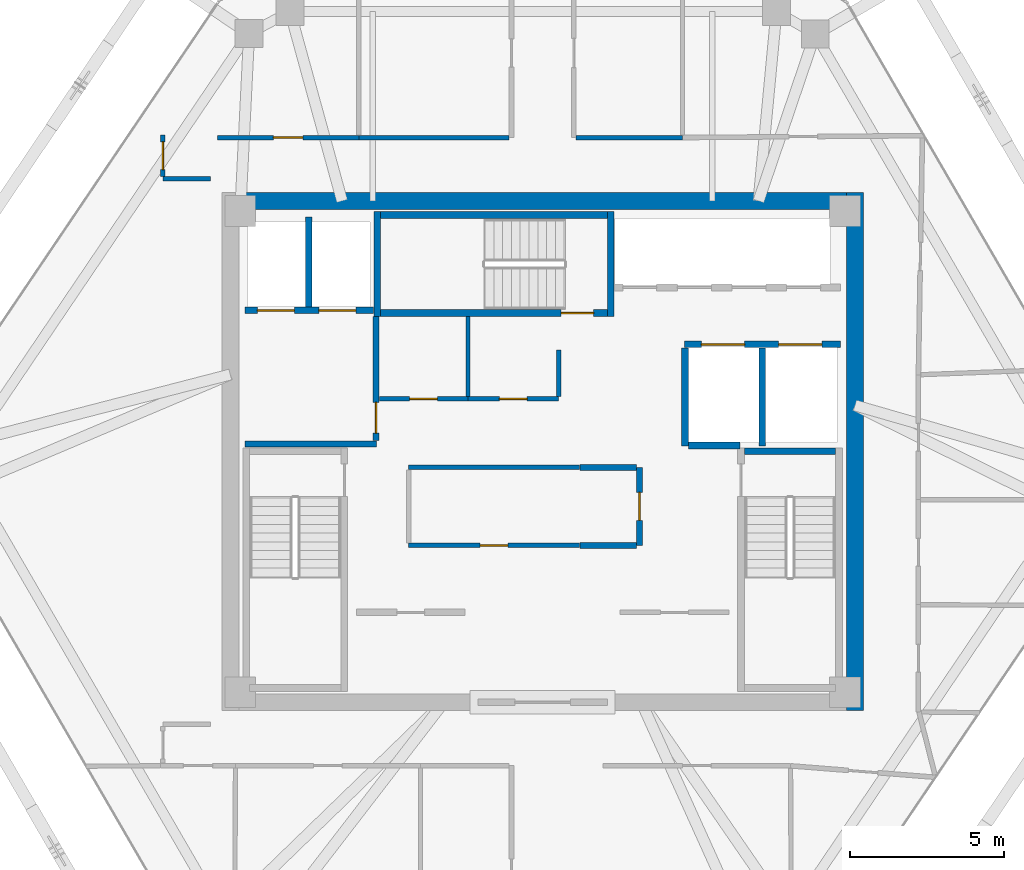
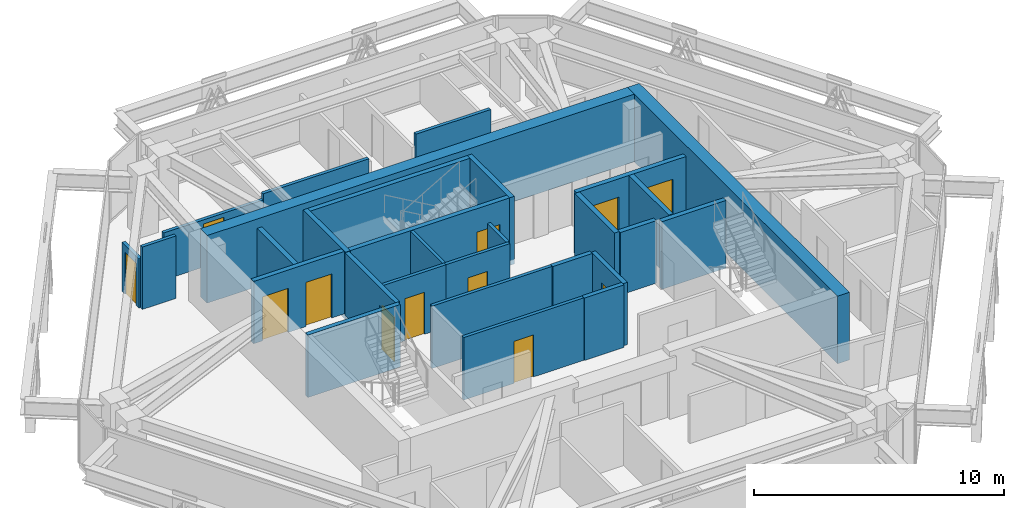
# One storey, part 10 of 13: 29 walls, 12 doors, 12 openings.
"""IFC4 building model written with IfcOpenShell, lengths in metres."""

from ifc_helpers import new_model, si_unit, direction, frame, frame_2d, origin, place, context, subcontext, project, spatial, rectangle, extrude, source, transform, mapped, material, layer, layer_set, type_object, type_shapes, element, fill, save


model = new_model("IFC4")

# Units and contexts
model_context = context("Model", 3, precision=1e-05, world=origin(), true_north=direction((0.0, 1.0)))
body_context = subcontext(model_context, "Body", "Model", "MODEL_VIEW")
ifc_project = project(units=[si_unit("LENGTHUNIT", "METRE"), si_unit("AREAUNIT", "SQUARE_METRE"), si_unit("VOLUMEUNIT", "CUBIC_METRE"), si_unit("PLANEANGLEUNIT", "RADIAN"), si_unit("MASSUNIT", "GRAM", prefix="KILO")], contexts=[model_context])

# Site, building, storey
site_placement = place(None, origin())
site = spatial("IfcSite", under=ifc_project, at=site_placement, CompositionType="ELEMENT")
building_placement = place(site_placement, origin())
building = spatial("IfcBuilding", under=site, at=building_placement, Name="Durnholm Broadcast Tower", CompositionType="ELEMENT")
storey_placement = place(building_placement, frame((0.0, 0.0, 228.199951171875)))
storey = spatial("IfcBuildingStorey", under=building, at=storey_placement, Name="L63", CompositionType="ELEMENT", Elevation=228.199951171875)

# Walls
ifc_material_1 = material(Name="Concrete C70/85", Category="concrete")
ifc_layer_1 = layer(ifc_material_1, 0.550048828125)
ifc_layer_set_1 = layer_set([ifc_layer_1], Name="Concrete C70/85")
wall_type_1 = type_object("IfcWallType", Name="WALL-CW-550", PredefinedType="SHEAR", material=ifc_layer_set_1)
wall_1_placement = place(storey_placement, frame((10.125, -8.39990234375, 0.0), z_axis=(0.0, 0.0, 1.0), x_axis=(0.0, 1.0, 0.0)))
element("IfcWall", 1, at=wall_1_placement, inside=storey, type_object=wall_type_1, Name="L63 central core shear wall CW-EAST", PredefinedType="SHEAR", context=body_context, shape_type="SweptSolid", body=[
    extrude(rectangle(XDim=16.7998046875, YDim=0.550048828125, at=frame_2d((8.39990234375, 0.0))), origin(), (0.0, 0.0, 1.0), 3.300048828125),
])
wall_2_placement = place(storey_placement, frame((-9.85009765625, 8.125, 0.0), z_axis=(0.0, 0.0, 1.0), x_axis=(1.0, 0.0, 0.0)))
element("IfcWall", 2, at=wall_2_placement, inside=storey, type_object=wall_type_1, Name="L63 central core shear wall CW-N", PredefinedType="SHEAR", context=body_context, shape_type="SweptSolid", body=[
    extrude(rectangle(XDim=19.7001953125, YDim=0.550048828125, at=frame_2d((9.85009765625, 0.0))), origin(), (0.0, 0.0, 1.0), 3.300048828125),
])
ifc_material_2 = material(Name="Fire-Rated Gypsum Shaftwall", Category="concrete")
ifc_layer_2 = layer(ifc_material_2, 0.199951171875)
ifc_layer_set_2 = layer_set([ifc_layer_2], Name="Fire-Rated Gypsum Shaftwall")
wall_type_2 = type_object("IfcWallType", Name="WALL-LOB-200", PredefinedType="SOLIDWALL", material=ifc_layer_set_2)
wall_3_placement = place(storey_placement, frame((-9.64990234375, 0.25, 0.0), z_axis=(0.0, 0.0, 1.0), x_axis=(1.0, 0.0, 0.0)))
element("IfcWall", 3, at=wall_3_placement, inside=storey, type_object=wall_type_2, Name="L63 Fire Service Access Elevator lobby south wall", PredefinedType="SOLIDWALL", context=body_context, shape_type="SweptSolid", body=[
    extrude(rectangle(XDim=4.27001953125, YDim=0.199951171875, at=frame_2d((2.135009765625, 0.0))), origin(), (0.0, 0.0, 1.0), 3.045166015625),
])

# Wall, opening, door
wall_4_placement = place(storey_placement, frame((-5.39990234375, 0.35400390625, 0.0), z_axis=(0.0, 0.0, 1.0), x_axis=(0.0, 1.0, 0.0)))
wall_4 = element("IfcWall", 4, at=wall_4_placement, inside=storey, type_object=wall_type_2, Name="L63 Fire Service Access Elevator lobby east fire wall", PredefinedType="SOLIDWALL", context=body_context, shape_type="SweptSolid", body=[
    extrude(rectangle(XDim=4.02587890625, YDim=0.199951171875, at=frame_2d((2.012939453125, 0.0))), origin(), (0.0, 0.0, 1.0), 3.045166015625),
])
opening_1_placement = place(wall_4_placement, frame((0.24609375, 0.0, 0.0)))
opening_1 = element("IfcOpeningElement", 5, at=opening_1_placement, cuts=wall_4, Name="Opening DL-60R", PredefinedType="OPENING", context=body_context, shape_type="SweptSolid", body=[
    extrude(rectangle(XDim=1.0, YDim=2.14990234375, at=frame_2d((0.5, 1.074951171875))), frame((0.0, 0.10986328125, 0.0), z_axis=(0.0, -1.0, 0.0), x_axis=(1.0, 0.0, 0.0)), (0.0, 0.0, 1.0), 0.219970703125),
])
ifc_material_3 = material(Name="Fire-Rated Timber/Steel Door", Category="steel")
ifc_layer_3 = layer(ifc_material_3, 0.050048828125)
ifc_layer_set_3 = layer_set([ifc_layer_3], Name="Fire-Rated Timber/Steel Door")
door_type_1 = type_object("IfcDoorType", Name="DOOR-LOB-FD60-R", OperationType="NOTDEFINED", PredefinedType="DOOR", material=ifc_layer_set_3)
shared_shape_1 = source(origin(), body_context, "Body", "SweptSolid", [
    extrude(rectangle(XDim=1.0, YDim=2.14990234375, at=frame_2d((0.5, 1.074951171875))), frame((0.0, 0.02490234375, 0.0), z_axis=(0.0, -1.0, 0.0), x_axis=(1.0, 0.0, 0.0)), (0.0, 0.0, 1.0), 0.050048828125),
])
type_shapes(door_type_1, [shared_shape_1])
door_1_placement = place(opening_1_placement, origin())
door_1 = element("IfcDoor", 6, at=door_1_placement, inside=storey, type_object=door_type_1, Name="L63 Fire Service Access Elevator lobby smoke door", OperationType="SINGLE_SWING_RIGHT", OverallHeight=2.14990234375, OverallWidth=1.0, PredefinedType="DOOR", context=body_context, shape_type="MappedRepresentation", body=[
    mapped(shared_shape_1, transform((0.0, 0.0, 0.0), x_axis=(1.0, 0.0, 0.0), y_axis=(0.0, 1.0, 0.0), z_axis=(0.0, 0.0, 1.0), scale=1.0)),
])
fill(opening_1, door_1)

wall_5_placement = place(storey_placement, frame((3.139892578125, -0.510009765625, 0.0), z_axis=(0.0, 0.0, 1.0), x_axis=(0.0, -1.0, 0.0)))
wall_5 = element("IfcWall", 7, at=wall_5_placement, inside=storey, type_object=wall_type_2, Name="L63 Core IT Telecom Room corridor partition", PredefinedType="SOLIDWALL", context=body_context, shape_type="SweptSolid", body=[
    extrude(rectangle(XDim=2.530029296875, YDim=0.199951171875, at=frame_2d((1.26513671875, 0.0))), origin(), (0.0, 0.0, 1.0), 3.045166015625),
])
opening_2_placement = place(wall_5_placement, frame((0.81494140625, 0.0, 0.0)))
opening_2 = element("IfcOpeningElement", 8, at=opening_2_placement, cuts=wall_5, Name="Opening DC-60R", PredefinedType="OPENING", context=body_context, shape_type="SweptSolid", body=[
    extrude(rectangle(XDim=0.89990234375, YDim=2.050048828125, at=frame_2d((0.449951171875, 1.02490234375))), frame((0.0, 0.10986328125, 0.0), z_axis=(0.0, -1.0, 0.0), x_axis=(1.0, 0.0, 0.0)), (0.0, 0.0, 1.0), 0.219970703125),
])
ifc_material_4 = material(Name="Fire-Rated Core Service Door", Category="steel")
ifc_layer_4 = layer(ifc_material_4, 0.050048828125)
ifc_layer_set_4 = layer_set([ifc_layer_4], Name="Fire-Rated Core Service Door")
door_type_2 = type_object("IfcDoorType", Name="DOOR-CORE-FD60-R", OperationType="NOTDEFINED", PredefinedType="DOOR", material=ifc_layer_set_4)
shared_shape_2 = source(origin(), body_context, "Body", "SweptSolid", [
    extrude(rectangle(XDim=0.89990234375, YDim=2.050048828125, at=frame_2d((0.449951171875, 1.02490234375))), frame((0.0, 0.02490234375, 0.0), z_axis=(0.0, -1.0, 0.0), x_axis=(1.0, 0.0, 0.0)), (0.0, 0.0, 1.0), 0.050048828125),
])
type_shapes(door_type_2, [shared_shape_2])
door_2_placement = place(opening_2_placement, origin())
door_2 = element("IfcDoor", 9, at=door_2_placement, inside=storey, type_object=door_type_2, Name="L63 Core IT Telecom Room entrance door", OperationType="SINGLE_SWING_RIGHT", OverallHeight=2.050048828125, OverallWidth=0.89990234375, PredefinedType="DOOR", context=body_context, shape_type="MappedRepresentation", body=[
    mapped(shared_shape_2, transform((0.0, 0.0, 0.0), x_axis=(1.0, 0.0, 0.0), y_axis=(0.0, 1.0, 0.0), z_axis=(0.0, 0.0, 1.0), scale=1.0)),
])
fill(opening_2, door_2)

# Walls
for number, where, z_axis, x_axis, name in (
    (10, (3.035888671875, -3.0400390625, 0.0), (0.0, 0.0, 1.0), (-1.0, 0.0, 0.0), "L63 Core IT Telecom Room corridor partition"),
    (11, (1.2099609375, -0.510009765625, 0.0), (0.0, 0.0, 1.0), (1.0, 0.0, 0.0), "L63 Core IT Telecom Room corridor partition"),
):
    element("IfcWall", number, at=place(storey_placement, frame(where, z_axis=z_axis, x_axis=x_axis)), inside=storey, type_object=wall_type_2, Name=name, PredefinedType="SOLIDWALL", context=body_context, shape_type="SweptSolid", body=[
        extrude(rectangle(XDim=1.825927734375, YDim=0.199951171875, at=frame_2d((0.9130859375, 0.0))), origin(), (0.0, 0.0, 1.0), 3.045166015625),
    ])
ifc_material_5 = material(Name="Gypsum Metal Stud Partition", Category="concrete")
ifc_layer_5 = layer(ifc_material_5, 0.135009765625)
ifc_layer_set_5 = layer_set([ifc_layer_5], Name="Gypsum Metal Stud Partition")
wall_type_3 = type_object("IfcWallType", Name="WALL-PART-135", PredefinedType="PARTITIONING", material=ifc_layer_set_5)
wall_6_placement = place(storey_placement, frame((-2.419921875, 4.375, 0.0), z_axis=(0.0, 0.0, 1.0), x_axis=(0.0, -1.0, 0.0)))
element("IfcWall", 12, at=wall_6_placement, inside=storey, type_object=wall_type_3, Name="L63 room dividing partition 5.6", PredefinedType="PARTITIONING", context=body_context, shape_type="SweptSolid", body=[
    extrude(rectangle(XDim=2.5859375, YDim=0.135009765625, at=frame_2d((1.29296875, 0.0))), origin(), (0.0, 0.0, 1.0), 3.045166015625),
])

# Wall, opening, door
ifc_material_6 = material(Name="Acoustic Gypsum Stud Partition", Category="concrete")
ifc_layer_6 = layer(ifc_material_6, 0.14990234375)
ifc_layer_set_6 = layer_set([ifc_layer_6], Name="Acoustic Gypsum Stud Partition")
wall_type_4 = type_object("IfcWallType", Name="WALL-PART-150", PredefinedType="PARTITIONING", material=ifc_layer_set_6)
wall_7_placement = place(storey_placement, frame((1.18994140625, -3.0400390625, 0.0), z_axis=(0.0, 0.0, 1.0), x_axis=(-1.0, 0.0, 0.0)))
wall_7 = element("IfcWall", 13, at=wall_7_placement, inside=storey, type_object=wall_type_4, Name="L63 Broadcast Equipment Store corridor partition", PredefinedType="PARTITIONING", context=body_context, shape_type="SweptSolid", body=[
    extrude(rectangle(XDim=5.530029296875, YDim=0.14990234375, at=frame_2d((2.76513671875, 0.0))), origin(), (0.0, 0.0, 1.0), 3.045166015625),
])
opening_3_placement = place(wall_7_placement, frame((2.31494140625, 0.0, 0.0)))
opening_3 = element("IfcOpeningElement", 14, at=opening_3_placement, cuts=wall_7, Name="Opening DC-60L", PredefinedType="OPENING", context=body_context, shape_type="SweptSolid", body=[
    extrude(rectangle(XDim=0.89990234375, YDim=2.050048828125, at=frame_2d((0.449951171875, 1.02490234375))), frame((0.0, 0.0849609375, 0.0), z_axis=(0.0, -1.0, 0.0), x_axis=(1.0, 0.0, 0.0)), (0.0, 0.0, 1.0), 0.169921875),
])
ifc_layer_7 = layer(ifc_material_4, 0.050048828125)
ifc_layer_set_7 = layer_set([ifc_layer_7], Name="Fire-Rated Core Service Door")
door_type_3 = type_object("IfcDoorType", Name="DOOR-CORE-FD60-L", OperationType="NOTDEFINED", PredefinedType="DOOR", material=ifc_layer_set_7)
shared_shape_3 = source(origin(), body_context, "Body", "SweptSolid", [
    extrude(rectangle(XDim=0.89990234375, YDim=2.050048828125, at=frame_2d((0.449951171875, 1.02490234375))), frame((0.0, 0.02490234375, 0.0), z_axis=(0.0, -1.0, 0.0), x_axis=(1.0, 0.0, 0.0)), (0.0, 0.0, 1.0), 0.050048828125),
])
type_shapes(door_type_3, [shared_shape_3])
door_3_placement = place(opening_3_placement, origin())
door_3 = element("IfcDoor", 15, at=door_3_placement, inside=storey, type_object=door_type_3, Name="L63 Broadcast Equipment Store entrance door", OperationType="SINGLE_SWING_LEFT", OverallHeight=2.050048828125, OverallWidth=0.89990234375, PredefinedType="DOOR", context=body_context, shape_type="MappedRepresentation", body=[
    mapped(shared_shape_3, transform((0.0, 0.0, 0.0), x_axis=(1.0, 0.0, 0.0), y_axis=(0.0, 1.0, 0.0), z_axis=(0.0, 0.0, 1.0), scale=1.0)),
])
fill(opening_3, door_3)

# Wall
wall_8_placement = place(storey_placement, frame((-4.340087890625, -0.510009765625, 0.0), z_axis=(0.0, 0.0, 1.0), x_axis=(1.0, 0.0, 0.0)))
element("IfcWall", 16, at=wall_8_placement, inside=storey, type_object=wall_type_4, Name="L63 Broadcast Equipment Store corridor partition", PredefinedType="PARTITIONING", context=body_context, shape_type="SweptSolid", body=[
    extrude(rectangle(XDim=5.530029296875, YDim=0.14990234375, at=frame_2d((2.76513671875, 0.0))), origin(), (0.0, 0.0, 1.0), 3.045166015625),
])

# Wall, opening, door
wall_9_placement = place(storey_placement, frame((-2.419921875, 1.7099609375, 0.0), z_axis=(0.0, 0.0, 1.0), x_axis=(-1.0, 0.0, 0.0)))
wall_9 = element("IfcWall", 17, at=wall_9_placement, inside=storey, type_object=wall_type_4, Name="L63 Core Equipment Store corridor partition", PredefinedType="PARTITIONING", context=body_context, shape_type="SweptSolid", body=[
    extrude(rectangle(XDim=2.8759765625, YDim=0.14990234375, at=frame_2d((1.43798828125, 0.0))), origin(), (0.0, 0.0, 1.0), 3.045166015625),
])
opening_4_placement = place(wall_9_placement, frame((0.988037109375, 0.0, 0.0)))
opening_4 = element("IfcOpeningElement", 18, at=opening_4_placement, cuts=wall_9, Name="Opening DC-60L", PredefinedType="OPENING", context=body_context, shape_type="SweptSolid", body=[
    extrude(rectangle(XDim=0.89990234375, YDim=2.050048828125, at=frame_2d((0.449951171875, 1.02490234375))), frame((0.0, 0.0849609375, 0.0), z_axis=(0.0, -1.0, 0.0), x_axis=(1.0, 0.0, 0.0)), (0.0, 0.0, 1.0), 0.169921875),
])
door_4_placement = place(opening_4_placement, origin())
door_4 = element("IfcDoor", 19, at=door_4_placement, inside=storey, type_object=door_type_3, Name="L63 Core Equipment Store entrance door", OperationType="SINGLE_SWING_LEFT", OverallHeight=2.050048828125, OverallWidth=0.89990234375, PredefinedType="DOOR", context=body_context, shape_type="MappedRepresentation", body=[
    mapped(shared_shape_3, transform((0.0, 0.0, 0.0), x_axis=(1.0, 0.0, 0.0), y_axis=(0.0, 1.0, 0.0), z_axis=(0.0, 0.0, 1.0), scale=1.0)),
])
fill(opening_4, door_4)

wall_10_placement = place(storey_placement, frame((0.52001953125, 1.7099609375, 0.0), z_axis=(0.0, 0.0, 1.0), x_axis=(-1.0, 0.0, 0.0)))
wall_10 = element("IfcWall", 20, at=wall_10_placement, inside=storey, type_object=wall_type_4, Name="L63 Core Mail and Supply Room corridor partition", PredefinedType="PARTITIONING", context=body_context, shape_type="SweptSolid", body=[
    extrude(rectangle(XDim=2.93994140625, YDim=0.14990234375, at=frame_2d((1.469970703125, 0.0))), origin(), (0.0, 0.0, 1.0), 3.045166015625),
])
opening_5_placement = place(wall_10_placement, frame((1.02001953125, 0.0, 0.0)))
opening_5 = element("IfcOpeningElement", 21, at=opening_5_placement, cuts=wall_10, Name="Opening DC-60R", PredefinedType="OPENING", context=body_context, shape_type="SweptSolid", body=[
    extrude(rectangle(XDim=0.89990234375, YDim=2.050048828125, at=frame_2d((0.449951171875, 1.02490234375))), frame((0.0, 0.0849609375, 0.0), z_axis=(0.0, -1.0, 0.0), x_axis=(1.0, 0.0, 0.0)), (0.0, 0.0, 1.0), 0.169921875),
])
door_5_placement = place(opening_5_placement, origin())
door_5 = element("IfcDoor", 22, at=door_5_placement, inside=storey, type_object=door_type_2, Name="L63 Core Mail and Supply Room entrance door", OperationType="SINGLE_SWING_RIGHT", OverallHeight=2.050048828125, OverallWidth=0.89990234375, PredefinedType="DOOR", context=body_context, shape_type="MappedRepresentation", body=[
    mapped(shared_shape_2, transform((0.0, 0.0, 0.0), x_axis=(1.0, 0.0, 0.0), y_axis=(0.0, 1.0, 0.0), z_axis=(0.0, 0.0, 1.0), scale=1.0)),
])
fill(opening_5, door_5)

# Wall
wall_11_placement = place(storey_placement, frame((0.52001953125, 3.300048828125, 0.0), z_axis=(0.0, 0.0, 1.0), x_axis=(0.0, -1.0, 0.0)))
element("IfcWall", 23, at=wall_11_placement, inside=storey, type_object=wall_type_4, Name="L63 Core Mail and Supply Room corridor partition", PredefinedType="PARTITIONING", context=body_context, shape_type="SweptSolid", body=[
    extrude(rectangle(XDim=1.510986328125, YDim=0.14990234375, at=frame_2d((0.75537109375, 0.0))), origin(), (0.0, 0.0, 1.0), 3.045166015625),
])

# Wall, opening, door
wall_12_placement = place(storey_placement, frame((-5.9599609375, 10.179931640625, 0.0), z_axis=(0.0, 0.0, 1.0), x_axis=(-1.0, 0.0, 0.0)))
wall_12 = element("IfcWall", 24, at=wall_12_placement, inside=storey, type_object=wall_type_4, Name="L63 VP News Office corridor partition", PredefinedType="PARTITIONING", context=body_context, shape_type="SweptSolid", body=[
    extrude(rectangle(XDim=4.580078125, YDim=0.14990234375, at=frame_2d((2.2900390625, 0.0))), origin(), (0.0, 0.0, 1.0), 2.30126953125),
])
opening_6_placement = place(wall_12_placement, frame((1.81494140625, 0.0, 0.0)))
opening_6 = element("IfcOpeningElement", 25, at=opening_6_placement, cuts=wall_12, Name="Opening DR-95R", PredefinedType="OPENING", context=body_context, shape_type="SweptSolid", body=[
    extrude(rectangle(XDim=0.949951171875, YDim=2.10009765625, at=frame_2d((0.47509765625, 1.050048828125))), frame((0.0, 0.0849609375, 0.0), z_axis=(0.0, -1.0, 0.0), x_axis=(1.0, 0.0, 0.0)), (0.0, 0.0, 1.0), 0.169921875),
])
ifc_material_7 = material(Name="Acoustic Oak Veneer Timber Door", Category="wood")
ifc_layer_8 = layer(ifc_material_7, 0.050048828125)
ifc_layer_set_8 = layer_set([ifc_layer_8], Name="Acoustic Oak Veneer Timber Door")
door_type_4 = type_object("IfcDoorType", Name="DOOR-RM-950R", OperationType="NOTDEFINED", PredefinedType="DOOR", material=ifc_layer_set_8)
shared_shape_4 = source(origin(), body_context, "Body", "SweptSolid", [
    extrude(rectangle(XDim=0.949951171875, YDim=2.10009765625, at=frame_2d((0.47509765625, 1.050048828125))), frame((0.0, 0.02490234375, 0.0), z_axis=(0.0, -1.0, 0.0), x_axis=(1.0, 0.0, 0.0)), (0.0, 0.0, 1.0), 0.050048828125),
])
type_shapes(door_type_4, [shared_shape_4])
door_6_placement = place(opening_6_placement, origin())
door_6 = element("IfcDoor", 26, at=door_6_placement, inside=storey, type_object=door_type_4, Name="L63 VP News Office entrance door", OperationType="SINGLE_SWING_RIGHT", OverallHeight=2.10009765625, OverallWidth=0.949951171875, PredefinedType="DOOR", context=body_context, shape_type="MappedRepresentation", body=[
    mapped(shared_shape_4, transform((0.0, 0.0, 0.0), x_axis=(1.0, 0.0, 0.0), y_axis=(0.0, 1.0, 0.0), z_axis=(0.0, 0.0, 1.0), scale=1.0)),
])
fill(opening_6, door_6)

# Walls
wall_13_placement = place(storey_placement, frame((-1.089111328125, 10.179931640625, 0.0), z_axis=(0.0, 0.0, 1.0), x_axis=(-1.0, 0.0, 0.0)))
element("IfcWall", 27, at=wall_13_placement, inside=storey, type_object=wall_type_4, Name="L63 VP Sports Office corridor partition", PredefinedType="PARTITIONING", context=body_context, shape_type="SweptSolid", body=[
    extrude(rectangle(XDim=4.870849609375, YDim=0.14990234375, at=frame_2d((2.435546875, 0.0))), origin(), (0.0, 0.0, 1.0), 2.6083984375),
])
wall_14_placement = place(storey_placement, frame((4.5400390625, 10.179931640625, 0.0), z_axis=(0.0, 0.0, 1.0), x_axis=(-1.0, 0.0, 0.0)))
element("IfcWall", 28, at=wall_14_placement, inside=storey, type_object=wall_type_4, Name="L63 VP Entertainment Office corridor partition", PredefinedType="PARTITIONING", context=body_context, shape_type="SweptSolid", body=[
    extrude(rectangle(XDim=3.450927734375, YDim=0.14990234375, at=frame_2d((1.7255859375, 0.0))), origin(), (0.0, 0.0, 1.0), 3.045166015625),
])
wall_15_placement = place(storey_placement, frame((-12.31005859375, 8.840087890625, 0.0), z_axis=(0.0, 0.0, 1.0), x_axis=(1.0, 0.0, 0.0)))
element("IfcWall", 29, at=wall_15_placement, inside=storey, type_object=wall_type_4, Name="L63 VP Sports Office corridor partition", PredefinedType="PARTITIONING", context=body_context, shape_type="SweptSolid", body=[
    extrude(rectangle(XDim=1.550048828125, YDim=0.14990234375, at=frame_2d((0.77490234375, 0.0))), origin(), (0.0, 0.0, 1.0), 3.045166015625),
])

# Wall, opening, door
wall_16_placement = place(storey_placement, frame((-12.31005859375, 10.260009765625, 0.0), z_axis=(0.0, 0.0, 1.0), x_axis=(0.0, -1.0, 0.0)))
wall_16 = element("IfcWall", 30, at=wall_16_placement, inside=storey, type_object=wall_type_4, Name="L63 VP Sports Office corridor partition", PredefinedType="PARTITIONING", context=body_context, shape_type="SweptSolid", body=[
    extrude(rectangle(XDim=1.341064453125, YDim=0.14990234375, at=frame_2d((0.67041015625, 0.0))), origin(), (0.0, 0.0, 1.0), 2.39892578125),
])
opening_7_placement = place(wall_16_placement, frame((0.220458984375, 0.0, 0.0)))
opening_7 = element("IfcOpeningElement", 31, at=opening_7_placement, cuts=wall_16, Name="Opening DW-90R", PredefinedType="OPENING", context=body_context, shape_type="SweptSolid", body=[
    extrude(rectangle(XDim=0.89990234375, YDim=2.050048828125, at=frame_2d((0.449951171875, 1.02490234375))), frame((0.0, 0.0849609375, 0.0), z_axis=(0.0, -1.0, 0.0), x_axis=(1.0, 0.0, 0.0)), (0.0, 0.0, 1.0), 0.169921875),
])
ifc_material_8 = material(Name="Laminate Restroom Door", Category="steel")
ifc_layer_9 = layer(ifc_material_8, 0.050048828125)
ifc_layer_set_9 = layer_set([ifc_layer_9], Name="Laminate Restroom Door")
door_type_5 = type_object("IfcDoorType", Name="DOOR-WC-900R", OperationType="NOTDEFINED", PredefinedType="DOOR", material=ifc_layer_set_9)
shared_shape_5 = source(origin(), body_context, "Body", "SweptSolid", [
    extrude(rectangle(XDim=0.89990234375, YDim=2.050048828125, at=frame_2d((0.449951171875, 1.02490234375))), frame((0.0, 0.02490234375, 0.0), z_axis=(0.0, -1.0, 0.0), x_axis=(1.0, 0.0, 0.0)), (0.0, 0.0, 1.0), 0.050048828125),
])
type_shapes(door_type_5, [shared_shape_5])
door_7_placement = place(opening_7_placement, origin())
door_7 = element("IfcDoor", 32, at=door_7_placement, inside=storey, type_object=door_type_5, Name="L63 VP Sports Office entrance door", OperationType="SINGLE_SWING_RIGHT", OverallHeight=2.050048828125, OverallWidth=0.89990234375, PredefinedType="DOOR", context=body_context, shape_type="MappedRepresentation", body=[
    mapped(shared_shape_5, transform((0.0, 0.0, 0.0), x_axis=(1.0, 0.0, 0.0), y_axis=(0.0, 1.0, 0.0), z_axis=(0.0, 0.0, 1.0), scale=1.0)),
])
fill(opening_7, door_7)

# Wall, openings, doors
ifc_material_9 = material(Name="Concrete Blockwork C30/37", Category="masonry")
ifc_layer_10 = layer(ifc_material_9, 0.219970703125)
ifc_layer_set_10 = layer_set([ifc_layer_10], Name="Concrete Blockwork C30/37")
wall_type_5 = type_object("IfcWallType", Name="WALL-SHAFT-220", PredefinedType="SOLIDWALL", material=ifc_layer_set_10)
wall_17_placement = place(storey_placement, frame((-9.64990234375, 4.580078125, 0.0), z_axis=(0.0, 0.0, 1.0), x_axis=(1.0, 0.0, 0.0)))
wall_17 = element("IfcWall", 33, at=wall_17_placement, inside=storey, type_object=wall_type_5, Name="L63 FSAE hoistway front fire wall", PredefinedType="SOLIDWALL", context=body_context, shape_type="SweptSolid", body=[
    extrude(rectangle(XDim=4.1748046875, YDim=0.219970703125, at=frame_2d((2.08740234375, 0.0))), origin(), (0.0, 0.0, 1.0), 3.045166015625),
])
opening_8_placement = place(wall_17_placement, frame((0.39990234375, 0.0, 0.0)))
opening_8 = element("IfcOpeningElement", 34, at=opening_8_placement, cuts=wall_17, Name="Opening LD-FSAE-2", PredefinedType="OPENING", context=body_context, shape_type="SweptSolid", body=[
    extrude(rectangle(XDim=1.199951171875, YDim=2.14990234375, at=frame_2d((0.60009765625, 1.074951171875))), frame((0.0, 0.1201171875, 0.0), z_axis=(0.0, -1.0, 0.0), x_axis=(1.0, 0.0, 0.0)), (0.0, 0.0, 1.0), 0.239990234375),
])
opening_9_placement = place(wall_17_placement, frame((2.39990234375, 0.0, 0.0)))
opening_9 = element("IfcOpeningElement", 35, at=opening_9_placement, cuts=wall_17, Name="Opening LD-FSAE-1", PredefinedType="OPENING", context=body_context, shape_type="SweptSolid", body=[
    extrude(rectangle(XDim=1.199951171875, YDim=2.14990234375, at=frame_2d((0.60009765625, 1.074951171875))), frame((0.0, 0.1201171875, 0.0), z_axis=(0.0, -1.0, 0.0), x_axis=(1.0, 0.0, 0.0)), (0.0, 0.0, 1.0), 0.239990234375),
])
ifc_material_10 = material(Name="Fire Service Access Sliding Landing Door", Category="steel")
ifc_layer_11 = layer(ifc_material_10, 0.050048828125)
ifc_layer_set_11 = layer_set([ifc_layer_11], Name="Fire Service Access Sliding Landing Door")
door_type_6 = type_object("IfcDoorType", Name="DOOR-LIFT-FSAE", OperationType="DOUBLE_DOOR_SLIDING", PredefinedType="DOOR", material=ifc_layer_set_11)
shared_shape_6 = source(origin(), body_context, "Body", "SweptSolid", [
    extrude(rectangle(XDim=1.199951171875, YDim=2.14990234375, at=frame_2d((0.60009765625, 1.074951171875))), frame((0.0, 0.02490234375, 0.0), z_axis=(0.0, -1.0, 0.0), x_axis=(1.0, 0.0, 0.0)), (0.0, 0.0, 1.0), 0.050048828125),
])
type_shapes(door_type_6, [shared_shape_6])
door_8_placement = place(opening_8_placement, origin())
door_8 = element("IfcDoor", 36, at=door_8_placement, inside=storey, type_object=door_type_6, Name="L63 Fire Service Access Elevator FSAE-2 sliding landing door", OperationType="DOUBLE_DOOR_SLIDING", OverallHeight=2.14990234375, OverallWidth=1.199951171875, PredefinedType="DOOR", context=body_context, shape_type="MappedRepresentation", body=[
    mapped(shared_shape_6, transform((0.0, 0.0, 0.0), x_axis=(1.0, 0.0, 0.0), y_axis=(0.0, 1.0, 0.0), z_axis=(0.0, 0.0, 1.0), scale=1.0)),
])
fill(opening_8, door_8)
door_9_placement = place(opening_9_placement, origin())
door_9 = element("IfcDoor", 37, at=door_9_placement, inside=storey, type_object=door_type_6, Name="L63 Fire Service Access Elevator FSAE-1 sliding landing door", OperationType="DOUBLE_DOOR_SLIDING", OverallHeight=2.14990234375, OverallWidth=1.199951171875, PredefinedType="DOOR", context=body_context, shape_type="MappedRepresentation", body=[
    mapped(shared_shape_6, transform((0.0, 0.0, 0.0), x_axis=(1.0, 0.0, 0.0), y_axis=(0.0, 1.0, 0.0), z_axis=(0.0, 0.0, 1.0), scale=1.0)),
])
fill(opening_9, door_9)

# Wall
wall_18_placement = place(storey_placement, frame((-7.580078125, 4.694091796875, 0.0), z_axis=(0.0, 0.0, 1.0), x_axis=(0.0, 1.0, 0.0)))
element("IfcWall", 38, at=wall_18_placement, inside=storey, type_object=wall_type_5, Name="L63 FSAE shaft divider wall", PredefinedType="SOLIDWALL", context=body_context, shape_type="SweptSolid", body=[
    extrude(rectangle(XDim=2.906005859375, YDim=0.219970703125, at=frame_2d((1.453125, 0.0))), origin(), (0.0, 0.0, 1.0), 3.045166015625),
])

# Wall, openings, doors
wall_19_placement = place(storey_placement, frame((4.60009765625, 3.47998046875, 0.0), z_axis=(0.0, 0.0, 1.0), x_axis=(1.0, 0.0, 0.0)))
wall_19 = element("IfcWall", 39, at=wall_19_placement, inside=storey, type_object=wall_type_5, Name="L63 freight service lifts north front wall", PredefinedType="SOLIDWALL", context=body_context, shape_type="SweptSolid", body=[
    extrude(rectangle(XDim=5.0498046875, YDim=0.219970703125, at=frame_2d((2.52490234375, 0.0))), origin(), (0.0, 0.0, 1.0), 3.045166015625),
])
opening_10_placement = place(wall_19_placement, frame((0.550048828125, 0.0, 0.0)))
opening_10 = element("IfcOpeningElement", 40, at=opening_10_placement, cuts=wall_19, Name="Opening LD-SVL-2", PredefinedType="OPENING", context=body_context, shape_type="SweptSolid", body=[
    extrude(rectangle(XDim=1.39990234375, YDim=2.14990234375, at=frame_2d((0.699951171875, 1.074951171875))), frame((0.0, 0.1201171875, 0.0), z_axis=(0.0, -1.0, 0.0), x_axis=(1.0, 0.0, 0.0)), (0.0, 0.0, 1.0), 0.239990234375),
])
opening_11_placement = place(wall_19_placement, frame((3.050048828125, 0.0, 0.0)))
opening_11 = element("IfcOpeningElement", 41, at=opening_11_placement, cuts=wall_19, Name="Opening LD-SVL-1", PredefinedType="OPENING", context=body_context, shape_type="SweptSolid", body=[
    extrude(rectangle(XDim=1.39990234375, YDim=2.14990234375, at=frame_2d((0.699951171875, 1.074951171875))), frame((0.0, 0.1201171875, 0.0), z_axis=(0.0, -1.0, 0.0), x_axis=(1.0, 0.0, 0.0)), (0.0, 0.0, 1.0), 0.239990234375),
])
ifc_material_11 = material(Name="Freight Elevator Bi-Parting Sliding Landing Door", Category="steel")
ifc_layer_12 = layer(ifc_material_11, 0.050048828125)
ifc_layer_set_12 = layer_set([ifc_layer_12], Name="Freight Elevator Bi-Parting Sliding Landing Door")
door_type_7 = type_object("IfcDoorType", Name="DOOR-LIFT-SVL", OperationType="DOUBLE_DOOR_SLIDING", PredefinedType="DOOR", material=ifc_layer_set_12)
shared_shape_7 = source(origin(), body_context, "Body", "SweptSolid", [
    extrude(rectangle(XDim=1.39990234375, YDim=2.14990234375, at=frame_2d((0.699951171875, 1.074951171875))), frame((0.0, 0.02490234375, 0.0), z_axis=(0.0, -1.0, 0.0), x_axis=(1.0, 0.0, 0.0)), (0.0, 0.0, 1.0), 0.050048828125),
])
type_shapes(door_type_7, [shared_shape_7])
door_10_placement = place(opening_10_placement, origin())
door_10 = element("IfcDoor", 42, at=door_10_placement, inside=storey, type_object=door_type_7, Name="L63 freight service elevator SVL-2 sliding landing door", OperationType="DOUBLE_DOOR_SLIDING", OverallHeight=2.14990234375, OverallWidth=1.39990234375, PredefinedType="DOOR", context=body_context, shape_type="MappedRepresentation", body=[
    mapped(shared_shape_7, transform((0.0, 0.0, 0.0), x_axis=(1.0, 0.0, 0.0), y_axis=(0.0, 1.0, 0.0), z_axis=(0.0, 0.0, 1.0), scale=1.0)),
])
fill(opening_10, door_10)
door_11_placement = place(opening_11_placement, origin())
door_11 = element("IfcDoor", 43, at=door_11_placement, inside=storey, type_object=door_type_7, Name="L63 freight service elevator SVL-1 sliding landing door", OperationType="DOUBLE_DOOR_SLIDING", OverallHeight=2.14990234375, OverallWidth=1.39990234375, PredefinedType="DOOR", context=body_context, shape_type="MappedRepresentation", body=[
    mapped(shared_shape_7, transform((0.0, 0.0, 0.0), x_axis=(1.0, 0.0, 0.0), y_axis=(0.0, 1.0, 0.0), z_axis=(0.0, 0.0, 1.0), scale=1.0)),
])
fill(opening_11, door_11)

# Walls
for number, where, z_axis, x_axis, name in (
    (44, (4.6201171875, 0.179931640625, 0.0), (0.0, 0.0, 1.0), (0.0, 1.0, 0.0), "L63 freight service lift SVL-2 west wall"),
    (45, (7.1201171875, 0.179931640625, 0.0), (0.0, 0.0, 1.0), (0.0, 1.0, 0.0), "L63 freight service lifts divider wall"),
):
    element("IfcWall", number, at=place(storey_placement, frame(where, z_axis=z_axis, x_axis=x_axis)), inside=storey, type_object=wall_type_5, Name=name, PredefinedType="SOLIDWALL", context=body_context, shape_type="SweptSolid", body=[
        extrude(rectangle(XDim=3.18603515625, YDim=0.219970703125, at=frame_2d((1.593017578125, 0.0))), origin(), (0.0, 0.0, 1.0), 3.045166015625),
    ])
wall_20_placement = place(storey_placement, frame((4.73388671875, 0.199951171875, 0.0), z_axis=(0.0, 0.0, 1.0), x_axis=(1.0, 0.0, 0.0)))
element("IfcWall", 46, at=wall_20_placement, inside=storey, type_object=wall_type_5, Name="L63 freight service lift SVL-2 south wall", PredefinedType="SOLIDWALL", context=body_context, shape_type="SweptSolid", body=[
    extrude(rectangle(XDim=1.666015625, YDim=0.219970703125, at=frame_2d((0.8330078125, 0.0))), origin(), (0.0, 0.0, 1.0), 3.045166015625),
])
ifc_material_12 = material(Name="Concrete C50/60", Category="concrete")
ifc_layer_13 = layer(ifc_material_12, 0.219970703125)
ifc_layer_set_13 = layer_set([ifc_layer_13], Name="Concrete C50/60")
wall_type_6 = type_object("IfcWallType", Name="WALL-SW-220", PredefinedType="SHEAR", material=ifc_layer_set_13)
wall_21_placement = place(storey_placement, frame((9.5, 0.010009765625, -0.239990234375), z_axis=(0.0, 0.0, 1.0), x_axis=(-1.0, 0.0, 0.0)))
element("IfcWall", 47, at=wall_21_placement, inside=storey, type_object=wall_type_6, Name="L63 stair ST-2 structural shaft wall N", PredefinedType="SHEAR", context=body_context, shape_type="SweptSolid", body=[
    extrude(rectangle(XDim=2.9599609375, YDim=0.219970703125, at=frame_2d((1.47998046875, 0.0))), origin(), (0.0, 0.0, 1.0), 3.300048828125),
])
for number, where, z_axis, x_axis, name in (
    (48, (2.2099609375, 4.3798828125, -0.239990234375), (0.0, 0.0, 1.0), (0.0, 1.0, 0.0), "L63 stair ST-3 structural shaft wall E"),
    (49, (-5.360107421875, 7.780029296875, -0.239990234375), (0.0, 0.0, 1.0), (0.0, -1.0, 0.0), "L63 stair ST-3 structural shaft wall W"),
):
    element("IfcWall", number, at=place(storey_placement, frame(where, z_axis=z_axis, x_axis=x_axis)), inside=storey, type_object=wall_type_6, Name=name, PredefinedType="SHEAR", context=body_context, shape_type="SweptSolid", body=[
        extrude(rectangle(XDim=3.400146484375, YDim=0.219970703125, at=frame_2d((1.7001953125, 0.0))), origin(), (0.0, 0.0, 1.0), 3.300048828125),
    ])

# Wall, opening, door
wall_22_placement = place(storey_placement, frame((-5.25, 4.489990234375, -0.239990234375), z_axis=(0.0, 0.0, 1.0), x_axis=(1.0, 0.0, 0.0)))
wall_22 = element("IfcWall", 50, at=wall_22_placement, inside=storey, type_object=wall_type_6, Name="L63 stair ST-3 structural shaft wall S", PredefinedType="SHEAR", context=body_context, shape_type="SweptSolid", body=[
    extrude(rectangle(XDim=7.35009765625, YDim=0.219970703125, at=frame_2d((3.675048828125, 0.0))), origin(), (0.0, 0.0, 1.0), 3.300048828125),
])
opening_12_placement = place(wall_22_placement, frame((5.85009765625, 0.0, 0.0)))
opening_12 = element("IfcOpeningElement", 51, at=opening_12_placement, cuts=wall_22, Name="Opening DS-90L", PredefinedType="OPENING", context=body_context, shape_type="SweptSolid", body=[
    extrude(rectangle(XDim=1.050048828125, YDim=2.14990234375, at=frame_2d((0.52490234375, 1.074951171875))), frame((0.0, 0.1201171875, 0.0), z_axis=(0.0, -1.0, 0.0), x_axis=(1.0, 0.0, 0.0)), (0.0, 0.0, 1.0), 0.239990234375),
])
ifc_material_13 = material(Name="Fire-Rated Steel Door", Category="steel")
ifc_layer_14 = layer(ifc_material_13, 0.050048828125)
ifc_layer_set_14 = layer_set([ifc_layer_14], Name="Fire-Rated Steel Door")
door_type_8 = type_object("IfcDoorType", Name="DOOR-ST-FD90-L", OperationType="NOTDEFINED", PredefinedType="DOOR", material=ifc_layer_set_14)
shared_shape_8 = source(origin(), body_context, "Body", "SweptSolid", [
    extrude(rectangle(XDim=1.050048828125, YDim=2.14990234375, at=frame_2d((0.52490234375, 1.074951171875))), frame((0.0, 0.02490234375, 0.0), z_axis=(0.0, -1.0, 0.0), x_axis=(1.0, 0.0, 0.0)), (0.0, 0.0, 1.0), 0.050048828125),
])
type_shapes(door_type_8, [shared_shape_8])
door_12_placement = place(opening_12_placement, origin())
door_12 = element("IfcDoor", 52, at=door_12_placement, inside=storey, type_object=door_type_8, Name="L63 exit stair ST-3 fire door", OperationType="SINGLE_SWING_LEFT", OverallHeight=2.14990234375, OverallWidth=1.050048828125, PredefinedType="DOOR", context=body_context, shape_type="MappedRepresentation", body=[
    mapped(shared_shape_8, transform((0.0, 0.0, 0.0), x_axis=(1.0, 0.0, 0.0), y_axis=(0.0, 1.0, 0.0), z_axis=(0.0, 0.0, 1.0), scale=1.0)),
])
fill(opening_12, door_12)

# Wall
wall_23_placement = place(storey_placement, frame((2.10009765625, 7.669921875, -0.239990234375), z_axis=(0.0, 0.0, 1.0), x_axis=(-1.0, 0.0, 0.0)))
element("IfcWall", 53, at=wall_23_placement, inside=storey, type_object=wall_type_6, Name="L63 stair ST-3 structural shaft wall N", PredefinedType="SHEAR", context=body_context, shape_type="SweptSolid", body=[
    extrude(rectangle(XDim=7.35009765625, YDim=0.219970703125, at=frame_2d((3.675048828125, 0.0))), origin(), (0.0, 0.0, 1.0), 3.300048828125),
])

save(model, "model.ifc")
